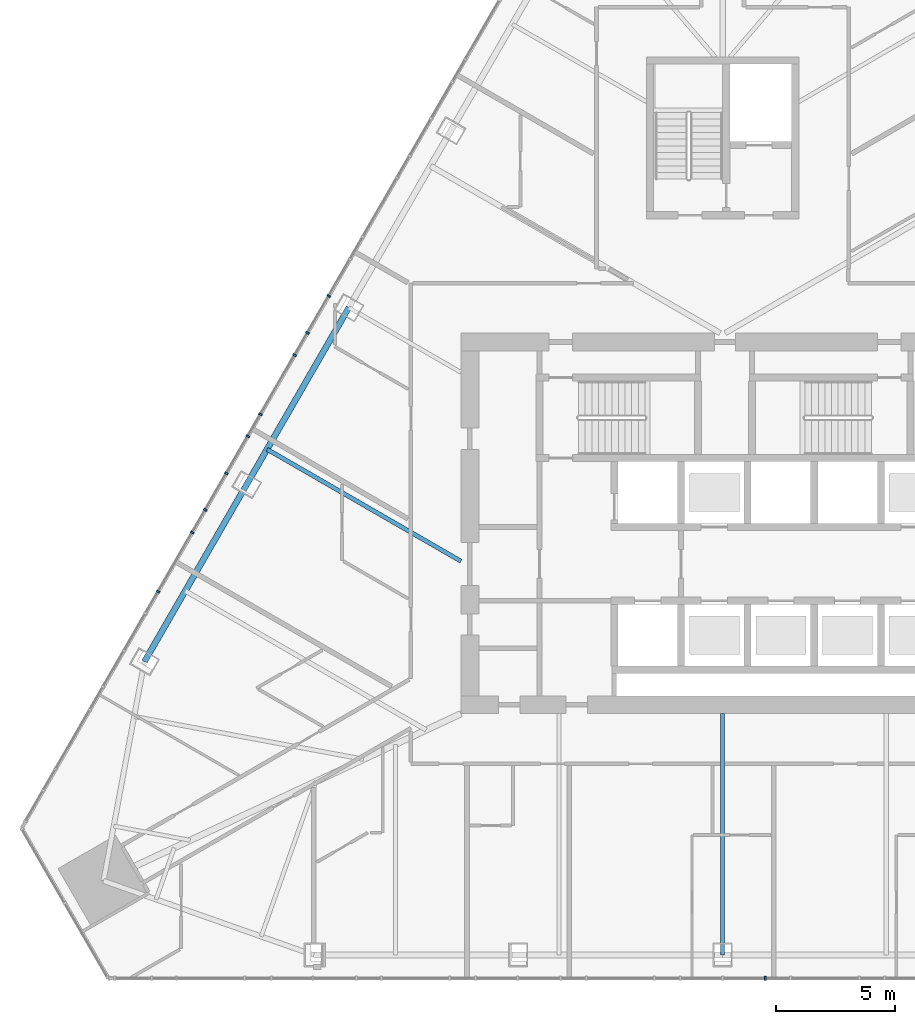
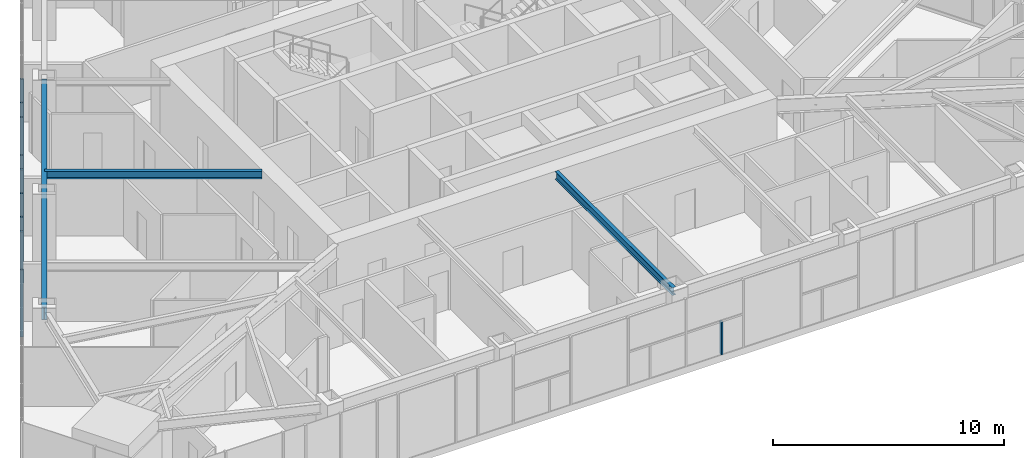
# One storey, part 4 of 24: 10 members, 3 beams, 2 elements without a shape of their own.
"""IFC4 building model written with IfcOpenShell, lengths in metres."""

from ifc_helpers import new_model, si_unit, direction, frame, origin, origin_2d, place, context, subcontext, project, spatial, rectangle, i_section, extrude, material, layer, layer_set, material_profile, profile_set, type_object, element, aggregate, save


model = new_model("IFC4")

# Units and contexts
model_context = context("Model", 3, precision=1e-05, world=origin(), true_north=direction((0.0, 1.0)))
body_context = subcontext(model_context, "Body", "Model", "MODEL_VIEW")
ifc_project = project(units=[si_unit("LENGTHUNIT", "METRE"), si_unit("AREAUNIT", "SQUARE_METRE"), si_unit("VOLUMEUNIT", "CUBIC_METRE"), si_unit("PLANEANGLEUNIT", "RADIAN"), si_unit("MASSUNIT", "GRAM", prefix="KILO")], contexts=[model_context])

# Site, building, storey
site_placement = place(None, origin())
site = spatial("IfcSite", under=ifc_project, at=site_placement, CompositionType="ELEMENT")
building_placement = place(site_placement, origin())
building = spatial("IfcBuilding", under=site, at=building_placement, Name="Firuza Gate Tower and Library", CompositionType="ELEMENT")
storey_placement = place(building_placement, frame((0.0, 0.0, 206.5)))
storey = spatial("IfcBuildingStorey", under=building, at=storey_placement, Name="L48", CompositionType="ELEMENT", Elevation=206.5)

# Curtain wall, member
ifc_material_1 = material(Name="Aluminium 6063-T6", Category="aluminium")
ifc_layer = layer(ifc_material_1, 0.14990234375)
ifc_layer_set = layer_set([ifc_layer], Name="Unitised curtain wall, hotel")
curtain_wall_type = type_object("IfcCurtainWallType", Name="Unitised curtain wall, hotel", PredefinedType="NOTDEFINED", material=ifc_layer_set)
placement = place(storey_placement, origin())
curtain_wall_1 = element("IfcCurtainWall", 1, at=placement, inside=storey, type_object=curtain_wall_type, Name="CW2 L48 S face", PredefinedType="NOTDEFINED")
ifc_material_2 = material(Name="Aluminium 6063-T6", Category="aluminium")
ifc_material_profile_1 = material_profile(ifc_material_2, rectangle(XDim=0.14990234375, YDim=0.080078125, at=origin_2d()))
ifc_profile_set_1 = profile_set([ifc_material_profile_1], Name="Aluminium 6063-T6")
member_type = type_object("IfcMemberType", Name="Curtain wall mullion 80x150", PredefinedType="MULLION", material=ifc_profile_set_1)
member_1_placement = place(storey_placement, frame((76.786376953125, 55.88330078125, 0.14990234375), z_axis=(0.0, 0.0, 1.0), x_axis=(0.0, 1.0, 0.0)))
member_1 = element("IfcMember", 2, at=member_1_placement, type_object=member_type, Name="Mullion", PredefinedType="MULLION", context=body_context, shape_type="SweptSolid", body=[
    extrude(rectangle(XDim=0.14990234375, YDim=0.080078125, at=origin_2d()), origin(), (0.0, 0.0, 1.0), 1.735107421875),
])
aggregate(curtain_wall_1, [member_1])

# Curtain wall, members
curtain_wall_2 = element("IfcCurtainWall", 3, at=placement, inside=storey, type_object=curtain_wall_type, Name="CW2 L48 W face", PredefinedType="NOTDEFINED")
member_2_placement = place(storey_placement, frame((58.4443359375, 84.558349609375, 0.14990234375), z_axis=(0.0, 0.0, 1.0), x_axis=(0.866025403784, -0.5, 0.0)))
member_2 = element("IfcMember", 4, at=member_2_placement, type_object=member_type, Name="Mullion", PredefinedType="MULLION", context=body_context, shape_type="SweptSolid", body=[
    extrude(rectangle(XDim=0.14990234375, YDim=0.080078125, at=origin_2d()), origin(), (0.0, 0.0, 1.0), 3.550048828125),
])
member_3_placement = place(storey_placement, frame((57.009765625, 82.073486328125, 0.14990234375), z_axis=(0.0, 0.0, 1.0), x_axis=(0.866025403784, -0.5, 0.0)))
member_3 = element("IfcMember", 5, at=member_3_placement, type_object=member_type, Name="Mullion", PredefinedType="MULLION", context=body_context, shape_type="SweptSolid", body=[
    extrude(rectangle(XDim=0.14990234375, YDim=0.080078125, at=origin_2d()), origin(), (0.0, 0.0, 1.0), 3.550048828125),
])
member_4_placement = place(storey_placement, frame((55.574951171875, 79.58837890625, 0.14990234375), z_axis=(0.0, 0.0, 1.0), x_axis=(0.866025403784, -0.5, 0.0)))
member_4 = element("IfcMember", 6, at=member_4_placement, type_object=member_type, Name="Mullion", PredefinedType="MULLION", context=body_context, shape_type="SweptSolid", body=[
    extrude(rectangle(XDim=0.14990234375, YDim=0.080078125, at=origin_2d()), origin(), (0.0, 0.0, 1.0), 3.550048828125),
])
member_5_placement = place(storey_placement, frame((54.140380859375, 77.103515625, 0.14990234375), z_axis=(0.0, 0.0, 1.0), x_axis=(0.866025403784, -0.5, 0.0)))
member_5 = element("IfcMember", 7, at=member_5_placement, type_object=member_type, Name="Mullion", PredefinedType="MULLION", context=body_context, shape_type="SweptSolid", body=[
    extrude(rectangle(XDim=0.14990234375, YDim=0.080078125, at=origin_2d()), origin(), (0.0, 0.0, 1.0), 3.550048828125),
])
member_6_placement = place(storey_placement, frame((52.70556640625, 74.618408203125, 0.14990234375), z_axis=(0.0, 0.0, 1.0), x_axis=(0.866025403784, -0.5, 0.0)))
member_6 = element("IfcMember", 8, at=member_6_placement, type_object=member_type, Name="Mullion", PredefinedType="MULLION", context=body_context, shape_type="SweptSolid", body=[
    extrude(rectangle(XDim=0.14990234375, YDim=0.080078125, at=origin_2d()), origin(), (0.0, 0.0, 1.0), 3.550048828125),
])
member_7_placement = place(storey_placement, frame((51.27099609375, 72.133544921875, 0.14990234375), z_axis=(0.0, 0.0, 1.0), x_axis=(0.866025403784, -0.5, 0.0)))
member_7 = element("IfcMember", 9, at=member_7_placement, type_object=member_type, Name="Mullion", PredefinedType="MULLION", context=body_context, shape_type="SweptSolid", body=[
    extrude(rectangle(XDim=0.14990234375, YDim=0.080078125, at=origin_2d()), origin(), (0.0, 0.0, 1.0), 3.550048828125),
])
member_8_placement = place(storey_placement, frame((57.55126953125, 83.01123046875, 0.14990234375), z_axis=(0.0, 0.0, 1.0), x_axis=(0.866025403784, -0.5, 0.0)))
member_8 = element("IfcMember", 10, at=member_8_placement, type_object=member_type, Name="Mullion", PredefinedType="MULLION", context=body_context, shape_type="SweptSolid", body=[
    extrude(rectangle(XDim=0.14990234375, YDim=0.080078125, at=origin_2d()), origin(), (0.0, 0.0, 1.0), 3.550048828125),
])
member_9_placement = place(storey_placement, frame((55.040771484375, 78.6630859375, 0.14990234375), z_axis=(0.0, 0.0, 1.0), x_axis=(0.866025403784, -0.5, 0.0)))
member_9 = element("IfcMember", 11, at=member_9_placement, type_object=member_type, Name="Mullion", PredefinedType="MULLION", context=body_context, shape_type="SweptSolid", body=[
    extrude(rectangle(XDim=0.14990234375, YDim=0.080078125, at=origin_2d()), origin(), (0.0, 0.0, 1.0), 3.550048828125),
])
member_10_placement = place(storey_placement, frame((53.25439453125, 75.56884765625, 0.14990234375), z_axis=(0.0, 0.0, 1.0), x_axis=(0.866025403784, -0.5, 0.0)))
member_10 = element("IfcMember", 12, at=member_10_placement, type_object=member_type, Name="Mullion", PredefinedType="MULLION", context=body_context, shape_type="SweptSolid", body=[
    extrude(rectangle(XDim=0.14990234375, YDim=0.080078125, at=origin_2d()), origin(), (0.0, 0.0, 1.0), 3.550048828125),
])
aggregate(curtain_wall_2, [member_2, member_3, member_4, member_5, member_6, member_7, member_8, member_9, member_10])

# Beams
ifc_material_3 = material(Name="Steel S355", Category="steel")
ifc_material_profile_2 = material_profile(ifc_material_3, i_section(OverallWidth=0.177978515625, OverallDepth=0.406982421875, WebThickness=0.0078125, FlangeThickness=0.0126953125, at=origin_2d()))
ifc_profile_set_2 = profile_set([ifc_material_profile_2], Name="Steel S355")
beam_type_1 = type_object("IfcBeamType", Name="W410x60 Floor beam", PredefinedType="JOIST", material=ifc_profile_set_2)
beam_1_placement = place(storey_placement, frame((75.0, 56.8583984375, 3.49658203125), z_axis=(0.0, 1.0, 0.0), x_axis=(-1.0, 0.0, 0.0)))
element("IfcBeam", 13, at=beam_1_placement, inside=storey, type_object=beam_type_1, Name="Floor beam L48 s22", PredefinedType="JOIST", context=body_context, shape_type="SweptSolid", body=[
    extrude(i_section(OverallWidth=0.177978515625, OverallDepth=0.406982421875, WebThickness=0.0078125, FlangeThickness=0.0126953125, at=origin_2d()), origin(), (0.0, 0.0, 1.0), 10.1416015625),
])
beam_2_placement = place(storey_placement, frame((55.851318359375, 78.116943359375, 3.49658203125), z_axis=(0.86602787481, -0.499995720034, 0.0), x_axis=(0.499995720034, 0.86602787481, 0.0)))
element("IfcBeam", 14, at=beam_2_placement, inside=storey, type_object=beam_type_1, Name="Floor beam L48 s83", PredefinedType="JOIST", context=body_context, shape_type="SweptSolid", body=[
    extrude(i_section(OverallWidth=0.177978515625, OverallDepth=0.406982421875, WebThickness=0.0078125, FlangeThickness=0.0126953125, at=origin_2d()), origin(), (0.0, 0.0, 1.0), 9.4091796875),
])
ifc_material_4 = material(Name="Steel S355", Category="steel")
ifc_material_profile_3 = material_profile(ifc_material_4, i_section(OverallWidth=0.2529296875, OverallDepth=0.677978515625, WebThickness=0.01171875, FlangeThickness=0.016357421875, at=origin_2d()))
ifc_profile_set_3 = profile_set([ifc_material_profile_3], Name="Steel S355")
beam_type_2 = type_object("IfcBeamType", Name="W690x125 Edge beam", PredefinedType="SPANDREL", material=ifc_profile_set_3)
beam_3_placement = place(storey_placement, frame((59.288818359375, 84.07080078125, 3.361083984375), z_axis=(-0.500001158966, -0.866024734654, 0.0), x_axis=(0.866024734654, -0.500001158966, 0.0)))
element("IfcBeam", 15, at=beam_3_placement, inside=storey, type_object=beam_type_2, Name="Edge beam L48 e82", PredefinedType="SPANDREL", context=body_context, shape_type="SweptSolid", body=[
    extrude(i_section(OverallWidth=0.2529296875, OverallDepth=0.677978515625, WebThickness=0.01171875, FlangeThickness=0.016357421875, at=origin_2d()), origin(), (0.0, 0.0, 1.0), 17.1875),
])

save(model, "model.ifc")
